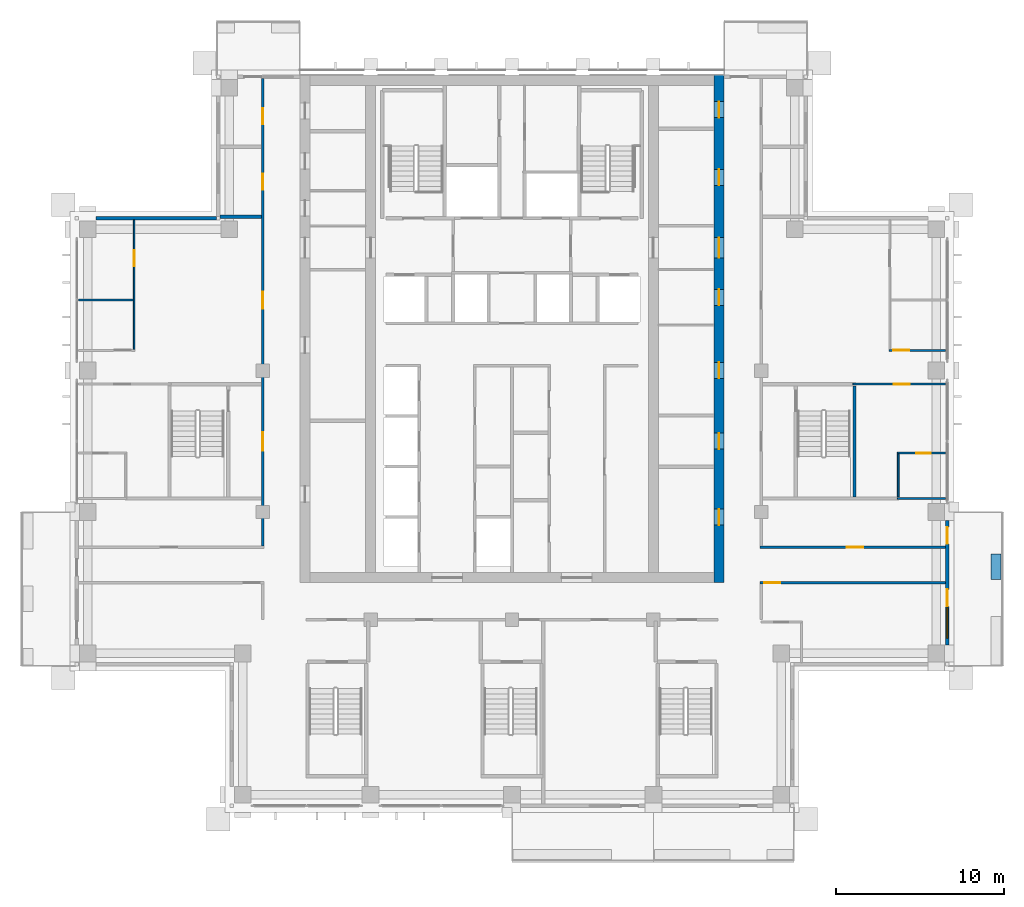
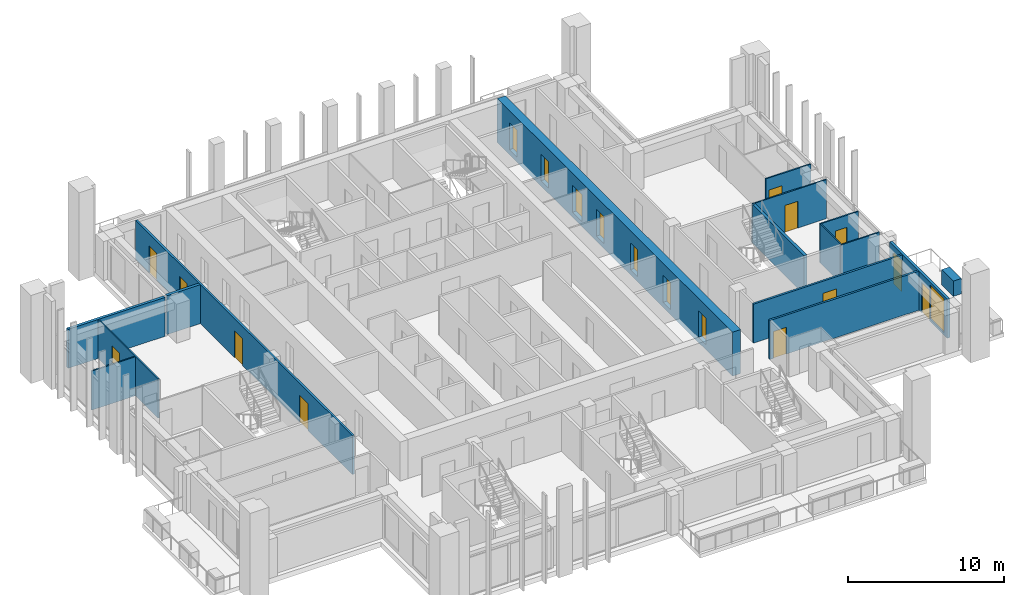
# One storey, part 11 of 18: 19 doors, 16 walls, 1 window, 20 openings.
"""IFC4 building model written with IfcOpenShell, lengths in metres."""

from ifc_helpers import new_model, si_unit, direction, frame, frame_2d, origin, place, context, subcontext, project, spatial, rectangle, extrude, material, layer, layer_set, type_object, element, fill, save


model = new_model("IFC4")

# Units and contexts
model_context = context("Model", 3, precision=1e-05, world=origin(), true_north=direction((0.0, 1.0)))
body_context = subcontext(model_context, "Body", "Model", "MODEL_VIEW")
ifc_project = project(units=[si_unit("LENGTHUNIT", "METRE"), si_unit("AREAUNIT", "SQUARE_METRE"), si_unit("VOLUMEUNIT", "CUBIC_METRE"), si_unit("PLANEANGLEUNIT", "RADIAN"), si_unit("MASSUNIT", "GRAM", prefix="KILO")], contexts=[model_context])

# Site, building, storey
site_placement = place(None, origin())
site = spatial("IfcSite", under=ifc_project, at=site_placement, CompositionType="ELEMENT")
building_placement = place(site_placement, origin())
building = spatial("IfcBuilding", under=site, at=building_placement, Name="Vermilion Ogive Tower", CompositionType="ELEMENT")
storey_placement = place(building_placement, frame((0.0, 0.0, 185.89990234375)))
storey = spatial("IfcBuildingStorey", under=building, at=storey_placement, Name="L48", CompositionType="ELEMENT", Elevation=185.89990234375)

# Wall, openings, doors
ifc_material_1 = material(Name="Concrete B60", Category="concrete")
ifc_layer_1 = layer(ifc_material_1, 0.60009765625)
ifc_layer_set_1 = layer_set([ifc_layer_1], Name="Core wall 600 B60")
wall_type_1 = type_object("IfcWallType", Name="Core wall 600 B60", PredefinedType="SHEAR", material=ifc_layer_set_1)
wall_1_placement = place(storey_placement, frame((12.300048828125, -8.39990234375, -0.39990234375), z_axis=(0.0, 0.0, 1.0), x_axis=(0.0, 1.0, 0.0)))
wall_1 = element("IfcWall", 1, at=wall_1_placement, inside=storey, type_object=wall_type_1, Name="L48-CORE-E", PredefinedType="SHEAR", context=body_context, shape_type="SweptSolid", body=[
    extrude(rectangle(XDim=30.14990234375, YDim=0.60009765625, at=frame_2d((15.074951171875, 0.0))), origin(), (0.0, 0.0, 1.0), 3.449951171875),
])
opening_1_placement = place(wall_1_placement, frame((3.415771484375, 0.0, 0.39990234375)))
opening_1 = element("IfcOpeningElement", 2, at=opening_1_placement, cuts=wall_1, Name="Opening DAC072", PredefinedType="OPENING", context=body_context, shape_type="SweptSolid", body=[
    extrude(rectangle(XDim=0.949951171875, YDim=2.10009765625, at=frame_2d((0.47509765625, 1.050048828125))), frame((0.0, 0.31005859375, 0.0), z_axis=(0.0, -1.0, 0.0), x_axis=(1.0, 0.0, 0.0)), (0.0, 0.0, 1.0), 0.6201171875),
])
opening_2_placement = place(wall_1_placement, frame((7.93212890625, 0.0, 0.39990234375)))
opening_2 = element("IfcOpeningElement", 3, at=opening_2_placement, cuts=wall_1, Name="Opening DAC073", PredefinedType="OPENING", context=body_context, shape_type="SweptSolid", body=[
    extrude(rectangle(XDim=0.949951171875, YDim=2.10009765625, at=frame_2d((0.47509765625, 1.050048828125))), frame((0.0, 0.31005859375, 0.0), z_axis=(0.0, -1.0, 0.0), x_axis=(1.0, 0.0, 0.0)), (0.0, 0.0, 1.0), 0.6201171875),
])
opening_3_placement = place(wall_1_placement, frame((12.1435546875, 0.0, 0.39990234375)))
opening_3 = element("IfcOpeningElement", 4, at=opening_3_placement, cuts=wall_1, Name="Opening DAC074", PredefinedType="OPENING", context=body_context, shape_type="SweptSolid", body=[
    extrude(rectangle(XDim=0.949951171875, YDim=2.10009765625, at=frame_2d((0.47509765625, 1.050048828125))), frame((0.0, 0.31005859375, 0.0), z_axis=(0.0, -1.0, 0.0), x_axis=(1.0, 0.0, 0.0)), (0.0, 0.0, 1.0), 0.6201171875),
])
opening_4_placement = place(wall_1_placement, frame((16.47705078125, 0.0, 0.39990234375)))
opening_4 = element("IfcOpeningElement", 5, at=opening_4_placement, cuts=wall_1, Name="Opening DAC075", PredefinedType="OPENING", context=body_context, shape_type="SweptSolid", body=[
    extrude(rectangle(XDim=0.949951171875, YDim=2.10009765625, at=frame_2d((0.47509765625, 1.050048828125))), frame((0.0, 0.31005859375, 0.0), z_axis=(0.0, -1.0, 0.0), x_axis=(1.0, 0.0, 0.0)), (0.0, 0.0, 1.0), 0.6201171875),
])
opening_5_placement = place(wall_1_placement, frame((23.60498046875, 0.0, 0.39990234375)))
opening_5 = element("IfcOpeningElement", 6, at=opening_5_placement, cuts=wall_1, Name="Opening DAC076", PredefinedType="OPENING", context=body_context, shape_type="SweptSolid", body=[
    extrude(rectangle(XDim=0.949951171875, YDim=2.10009765625, at=frame_2d((0.47509765625, 1.050048828125))), frame((0.0, 0.31005859375, 0.0), z_axis=(0.0, -1.0, 0.0), x_axis=(1.0, 0.0, 0.0)), (0.0, 0.0, 1.0), 0.6201171875),
])
opening_6_placement = place(wall_1_placement, frame((27.630126953125, 0.0, 0.39990234375)))
opening_6 = element("IfcOpeningElement", 7, at=opening_6_placement, cuts=wall_1, Name="Opening DAC077", PredefinedType="OPENING", context=body_context, shape_type="SweptSolid", body=[
    extrude(rectangle(XDim=0.949951171875, YDim=2.10009765625, at=frame_2d((0.47509765625, 1.050048828125))), frame((0.0, 0.31005859375, 0.0), z_axis=(0.0, -1.0, 0.0), x_axis=(1.0, 0.0, 0.0)), (0.0, 0.0, 1.0), 0.6201171875),
])
opening_7_placement = place(wall_1_placement, frame((19.300048828125, 0.0, 0.39990234375)))
opening_7 = element("IfcOpeningElement", 8, at=opening_7_placement, cuts=wall_1, Name="Opening DAL019", PredefinedType="OPENING", context=body_context, shape_type="SweptSolid", body=[
    extrude(rectangle(XDim=1.199951171875, YDim=2.10009765625, at=frame_2d((0.60009765625, 1.050048828125))), frame((0.0, 0.31005859375, 0.0), z_axis=(0.0, -1.0, 0.0), x_axis=(1.0, 0.0, 0.0)), (0.0, 0.0, 1.0), 0.6201171875),
])
ifc_material_2 = material(Name="Timber door leaf", Category="wood")
door_type_1 = type_object("IfcDoorType", Name="Link door 1200 x 2100 FD60S", OperationType="SINGLE_SWING_LEFT", PredefinedType="DOOR", material=ifc_material_2)
door_1_placement = place(opening_7_placement, origin())
door_1 = element("IfcDoor", 9, at=door_1_placement, inside=storey, type_object=door_type_1, Name="L48-CKE-XL", OperationType="SINGLE_SWING_LEFT", OverallHeight=2.10009765625, OverallWidth=1.199951171875, PredefinedType="DOOR", context=body_context, shape_type="SweptSolid", body=[
    extrude(rectangle(XDim=1.199951171875, YDim=2.10009765625, at=frame_2d((0.60009765625, 1.050048828125))), frame((0.0, 0.02490234375, 0.0), z_axis=(0.0, -1.0, 0.0), x_axis=(1.0, 0.0, 0.0)), (0.0, 0.0, 1.0), 0.050048828125),
])
fill(opening_7, door_1)
ifc_material_3 = material(Name="Timber door leaf", Category="wood")
door_type_2 = type_object("IfcDoorType", Name="Service door 950 x 2100 FD60", OperationType="SINGLE_SWING_LEFT", PredefinedType="DOOR", material=ifc_material_3)
door_2_placement = place(opening_1_placement, origin())
door_2 = element("IfcDoor", 10, at=door_2_placement, inside=storey, type_object=door_type_2, Name="L48-CKE-XR0", OperationType="SINGLE_SWING_LEFT", OverallHeight=2.10009765625, OverallWidth=0.949951171875, PredefinedType="DOOR", context=body_context, shape_type="SweptSolid", body=[
    extrude(rectangle(XDim=0.949951171875, YDim=2.10009765625, at=frame_2d((0.47509765625, 1.050048828125))), frame((0.0, 0.02490234375, 0.0), z_axis=(0.0, -1.0, 0.0), x_axis=(1.0, 0.0, 0.0)), (0.0, 0.0, 1.0), 0.050048828125),
])
fill(opening_1, door_2)
door_3_placement = place(opening_2_placement, origin())
door_3 = element("IfcDoor", 11, at=door_3_placement, inside=storey, type_object=door_type_2, Name="L48-CKE-XR1", OperationType="SINGLE_SWING_LEFT", OverallHeight=2.10009765625, OverallWidth=0.949951171875, PredefinedType="DOOR", context=body_context, shape_type="SweptSolid", body=[
    extrude(rectangle(XDim=0.949951171875, YDim=2.10009765625, at=frame_2d((0.47509765625, 1.050048828125))), frame((0.0, 0.02490234375, 0.0), z_axis=(0.0, -1.0, 0.0), x_axis=(1.0, 0.0, 0.0)), (0.0, 0.0, 1.0), 0.050048828125),
])
fill(opening_2, door_3)
door_4_placement = place(opening_3_placement, origin())
door_4 = element("IfcDoor", 12, at=door_4_placement, inside=storey, type_object=door_type_2, Name="L48-CKE-XR2", OperationType="SINGLE_SWING_LEFT", OverallHeight=2.10009765625, OverallWidth=0.949951171875, PredefinedType="DOOR", context=body_context, shape_type="SweptSolid", body=[
    extrude(rectangle(XDim=0.949951171875, YDim=2.10009765625, at=frame_2d((0.47509765625, 1.050048828125))), frame((0.0, 0.02490234375, 0.0), z_axis=(0.0, -1.0, 0.0), x_axis=(1.0, 0.0, 0.0)), (0.0, 0.0, 1.0), 0.050048828125),
])
fill(opening_3, door_4)
door_5_placement = place(opening_4_placement, origin())
door_5 = element("IfcDoor", 13, at=door_5_placement, inside=storey, type_object=door_type_2, Name="L48-CKE-XR3", OperationType="SINGLE_SWING_LEFT", OverallHeight=2.10009765625, OverallWidth=0.949951171875, PredefinedType="DOOR", context=body_context, shape_type="SweptSolid", body=[
    extrude(rectangle(XDim=0.949951171875, YDim=2.10009765625, at=frame_2d((0.47509765625, 1.050048828125))), frame((0.0, 0.02490234375, 0.0), z_axis=(0.0, -1.0, 0.0), x_axis=(1.0, 0.0, 0.0)), (0.0, 0.0, 1.0), 0.050048828125),
])
fill(opening_4, door_5)
door_6_placement = place(opening_5_placement, origin())
door_6 = element("IfcDoor", 14, at=door_6_placement, inside=storey, type_object=door_type_2, Name="L48-CKE-XR4", OperationType="SINGLE_SWING_LEFT", OverallHeight=2.10009765625, OverallWidth=0.949951171875, PredefinedType="DOOR", context=body_context, shape_type="SweptSolid", body=[
    extrude(rectangle(XDim=0.949951171875, YDim=2.10009765625, at=frame_2d((0.47509765625, 1.050048828125))), frame((0.0, 0.02490234375, 0.0), z_axis=(0.0, -1.0, 0.0), x_axis=(1.0, 0.0, 0.0)), (0.0, 0.0, 1.0), 0.050048828125),
])
fill(opening_5, door_6)
door_7_placement = place(opening_6_placement, origin())
door_7 = element("IfcDoor", 15, at=door_7_placement, inside=storey, type_object=door_type_2, Name="L48-CKE-XR5", OperationType="SINGLE_SWING_LEFT", OverallHeight=2.10009765625, OverallWidth=0.949951171875, PredefinedType="DOOR", context=body_context, shape_type="SweptSolid", body=[
    extrude(rectangle(XDim=0.949951171875, YDim=2.10009765625, at=frame_2d((0.47509765625, 1.050048828125))), frame((0.0, 0.02490234375, 0.0), z_axis=(0.0, -1.0, 0.0), x_axis=(1.0, 0.0, 0.0)), (0.0, 0.0, 1.0), 0.050048828125),
])
fill(opening_6, door_7)

# Wall
ifc_material_4 = material(Name="Gypsum board partition on steel studs", Category="steel")
ifc_layer_2 = layer(ifc_material_4, 0.10009765625)
ifc_layer_set_2 = layer_set([ifc_layer_2], Name="Partition 100 bath")
wall_type_2 = type_object("IfcWallType", Name="Partition 100 bath", PredefinedType="PARTITIONING", material=ifc_layer_set_2)
wall_2_placement = place(storey_placement, frame((22.89990234375, -3.39990234375, 0.0), z_axis=(0.0, 0.0, 1.0), x_axis=(1.0, 0.0, 0.0)))
element("IfcWall", 16, at=wall_2_placement, inside=storey, type_object=wall_type_2, Name="L48-W-W014", PredefinedType="PARTITIONING", context=body_context, shape_type="SweptSolid", body=[
    extrude(rectangle(XDim=2.85009765625, YDim=0.10009765625, at=frame_2d((1.425048828125, 0.0))), origin(), (0.0, 0.0, 1.0), 3.050048828125),
])

# Wall, opening, door
wall_3_placement = place(storey_placement, frame((22.89990234375, -0.699951171875, 0.0), z_axis=(0.0, 0.0, 1.0), x_axis=(1.0, 0.0, 0.0)))
wall_3 = element("IfcWall", 17, at=wall_3_placement, inside=storey, type_object=wall_type_2, Name="L48-W-W016", PredefinedType="PARTITIONING", context=body_context, shape_type="SweptSolid", body=[
    extrude(rectangle(XDim=2.85009765625, YDim=0.10009765625, at=frame_2d((1.425048828125, 0.0))), origin(), (0.0, 0.0, 1.0), 3.050048828125),
])
opening_8_placement = place(wall_3_placement, frame((1.125, 0.0, 0.0)))
opening_8 = element("IfcOpeningElement", 18, at=opening_8_placement, cuts=wall_3, Name="Opening D4G2017", PredefinedType="OPENING", context=body_context, shape_type="SweptSolid", body=[
    extrude(rectangle(XDim=0.85009765625, YDim=2.10009765625, at=frame_2d((0.425048828125, 1.050048828125))), frame((0.0, 0.06005859375, 0.0), z_axis=(0.0, -1.0, 0.0), x_axis=(1.0, 0.0, 0.0)), (0.0, 0.0, 1.0), 0.1201171875),
])
ifc_material_5 = material(Name="Timber door leaf", Category="wood")
door_type_3 = type_object("IfcDoorType", Name="Bath door 850 x 2100 FD30", OperationType="SINGLE_SWING_LEFT", PredefinedType="DOOR", material=ifc_material_5)
door_8_placement = place(opening_8_placement, origin())
door_8 = element("IfcDoor", 19, at=door_8_placement, inside=storey, type_object=door_type_3, Name="L48-D-D017", OperationType="SINGLE_SWING_RIGHT", OverallHeight=2.10009765625, OverallWidth=0.85009765625, PredefinedType="DOOR", context=body_context, shape_type="SweptSolid", body=[
    extrude(rectangle(XDim=0.85009765625, YDim=2.10009765625, at=frame_2d((0.425048828125, 1.050048828125))), frame((0.0, 0.02490234375, 0.0), z_axis=(0.0, -1.0, 0.0), x_axis=(1.0, 0.0, 0.0)), (0.0, 0.0, 1.0), 0.050048828125),
])
fill(opening_8, door_8)

# Wall
wall_4_placement = place(storey_placement, frame((22.949951171875, -3.300048828125, 0.0), z_axis=(0.0, 0.0, 1.0), x_axis=(0.0, 1.0, 0.0)))
element("IfcWall", 20, at=wall_4_placement, inside=storey, type_object=wall_type_2, Name="L48-W-W047", PredefinedType="PARTITIONING", context=body_context, shape_type="SweptSolid", body=[
    extrude(rectangle(XDim=2.550048828125, YDim=0.10009765625, at=frame_2d((1.27490234375, 0.0))), origin(), (0.0, 0.0, 1.0), 3.050048828125),
])

# Wall, opening, door
ifc_material_6 = material(Name="Gypsum board partition on steel studs", Category="steel")
ifc_layer_3 = layer(ifc_material_6, 0.10009765625)
ifc_layer_set_3 = layer_set([ifc_layer_3], Name="Partition 100 inner")
wall_type_3 = type_object("IfcWallType", Name="Partition 100 inner", PredefinedType="PARTITIONING", material=ifc_layer_set_3)
wall_5_placement = place(storey_placement, frame((20.25, 3.39990234375, 0.0), z_axis=(0.0, 0.0, 1.0), x_axis=(1.0, 0.0, 0.0)))
wall_5 = element("IfcWall", 21, at=wall_5_placement, inside=storey, type_object=wall_type_3, Name="L48-W-W020", PredefinedType="PARTITIONING", context=body_context, shape_type="SweptSolid", body=[
    extrude(rectangle(XDim=5.5, YDim=0.10009765625, at=frame_2d((2.75, 0.0))), origin(), (0.0, 0.0, 1.0), 3.050048828125),
])
opening_9_placement = place(wall_5_placement, frame((2.425048828125, 0.0, 0.0)))
opening_9 = element("IfcOpeningElement", 22, at=opening_9_placement, cuts=wall_5, Name="Opening D4G2016", PredefinedType="OPENING", context=body_context, shape_type="SweptSolid", body=[
    extrude(rectangle(XDim=0.949951171875, YDim=2.10009765625, at=frame_2d((0.47509765625, 1.050048828125))), frame((0.0, 0.06005859375, 0.0), z_axis=(0.0, -1.0, 0.0), x_axis=(1.0, 0.0, 0.0)), (0.0, 0.0, 1.0), 0.1201171875),
])
ifc_material_7 = material(Name="Timber door leaf", Category="wood")
door_type_4 = type_object("IfcDoorType", Name="Inner door 950 x 2100 FD30", OperationType="SINGLE_SWING_LEFT", PredefinedType="DOOR", material=ifc_material_7)
door_9_placement = place(opening_9_placement, origin())
door_9 = element("IfcDoor", 23, at=door_9_placement, inside=storey, type_object=door_type_4, Name="L48-D-D016", OperationType="SINGLE_SWING_LEFT", OverallHeight=2.10009765625, OverallWidth=0.949951171875, PredefinedType="DOOR", context=body_context, shape_type="SweptSolid", body=[
    extrude(rectangle(XDim=0.949951171875, YDim=2.10009765625, at=frame_2d((0.47509765625, 1.050048828125))), frame((0.0, 0.02490234375, 0.0), z_axis=(0.0, -1.0, 0.0), x_axis=(1.0, 0.0, 0.0)), (0.0, 0.0, 1.0), 0.050048828125),
])
fill(opening_9, door_9)

wall_6_placement = place(storey_placement, frame((22.39990234375, 5.39990234375, 0.0), z_axis=(0.0, 0.0, 1.0), x_axis=(1.0, 0.0, 0.0)))
wall_6 = element("IfcWall", 24, at=wall_6_placement, inside=storey, type_object=wall_type_3, Name="L48-W-W022", PredefinedType="PARTITIONING", context=body_context, shape_type="SweptSolid", body=[
    extrude(rectangle(XDim=3.35009765625, YDim=0.10009765625, at=frame_2d((1.675048828125, 0.0))), origin(), (0.0, 0.0, 1.0), 3.050048828125),
])
opening_10_placement = place(wall_6_placement, frame((0.25, 0.0, 0.0)))
opening_10 = element("IfcOpeningElement", 25, at=opening_10_placement, cuts=wall_6, Name="Opening D4G2013", PredefinedType="OPENING", context=body_context, shape_type="SweptSolid", body=[
    extrude(rectangle(XDim=0.949951171875, YDim=2.10009765625, at=frame_2d((0.47509765625, 1.050048828125))), frame((0.0, 0.06005859375, 0.0), z_axis=(0.0, -1.0, 0.0), x_axis=(1.0, 0.0, 0.0)), (0.0, 0.0, 1.0), 0.1201171875),
])
door_10_placement = place(opening_10_placement, origin())
door_10 = element("IfcDoor", 26, at=door_10_placement, inside=storey, type_object=door_type_4, Name="L48-D-D013", OperationType="SINGLE_SWING_LEFT", OverallHeight=2.10009765625, OverallWidth=0.949951171875, PredefinedType="DOOR", context=body_context, shape_type="SweptSolid", body=[
    extrude(rectangle(XDim=0.949951171875, YDim=2.10009765625, at=frame_2d((0.47509765625, 1.050048828125))), frame((0.0, 0.02490234375, 0.0), z_axis=(0.0, -1.0, 0.0), x_axis=(1.0, 0.0, 0.0)), (0.0, 0.0, 1.0), 0.050048828125),
])
fill(opening_10, door_10)

# Wall
wall_7_placement = place(storey_placement, frame((-25.75, 8.39990234375, 0.0), z_axis=(0.0, 0.0, 1.0), x_axis=(1.0, 0.0, 0.0)))
element("IfcWall", 27, at=wall_7_placement, inside=storey, type_object=wall_type_3, Name="L48-W-W023", PredefinedType="PARTITIONING", context=body_context, shape_type="SweptSolid", body=[
    extrude(rectangle(XDim=3.25, YDim=0.10009765625, at=frame_2d((1.625, 0.0))), origin(), (0.0, 0.0, 1.0), 3.050048828125),
])

# Wall, opening, door
wall_8_placement = place(storey_placement, frame((-22.449951171875, 5.449951171875, 0.0), z_axis=(0.0, 0.0, 1.0), x_axis=(0.0, 1.0, 0.0)))
wall_8 = element("IfcWall", 28, at=wall_8_placement, inside=storey, type_object=wall_type_3, Name="L48-W-W030", PredefinedType="PARTITIONING", context=body_context, shape_type="SweptSolid", body=[
    extrude(rectangle(XDim=7.699951171875, YDim=0.10009765625, at=frame_2d((3.85009765625, 0.0))), origin(), (0.0, 0.0, 1.0), 3.050048828125),
])
opening_11_placement = place(wall_8_placement, frame((4.949951171875, 0.0, 0.0)))
opening_11 = element("IfcOpeningElement", 29, at=opening_11_placement, cuts=wall_8, Name="Opening D4G2003", PredefinedType="OPENING", context=body_context, shape_type="SweptSolid", body=[
    extrude(rectangle(XDim=0.949951171875, YDim=2.10009765625, at=frame_2d((0.47509765625, 1.050048828125))), frame((0.0, 0.06005859375, 0.0), z_axis=(0.0, -1.0, 0.0), x_axis=(1.0, 0.0, 0.0)), (0.0, 0.0, 1.0), 0.1201171875),
])
door_11_placement = place(opening_11_placement, origin())
door_11 = element("IfcDoor", 30, at=door_11_placement, inside=storey, type_object=door_type_4, Name="L48-D-D003", OperationType="SINGLE_SWING_RIGHT", OverallHeight=2.10009765625, OverallWidth=0.949951171875, PredefinedType="DOOR", context=body_context, shape_type="SweptSolid", body=[
    extrude(rectangle(XDim=0.949951171875, YDim=2.10009765625, at=frame_2d((0.47509765625, 1.050048828125))), frame((0.0, 0.02490234375, 0.0), z_axis=(0.0, -1.0, 0.0), x_axis=(1.0, 0.0, 0.0)), (0.0, 0.0, 1.0), 0.050048828125),
])
fill(opening_11, door_11)

ifc_material_8 = material(Name="Gypsum board partition on steel studs", Category="steel")
ifc_layer_4 = layer(ifc_material_8, 0.14990234375)
ifc_layer_set_4 = layer_set([ifc_layer_4], Name="Partition 150 corridor")
wall_type_4 = type_object("IfcWallType", Name="Partition 150 corridor", PredefinedType="PARTITIONING", material=ifc_layer_set_4)
wall_9_placement = place(storey_placement, frame((14.72509765625, -8.39990234375, 0.0), z_axis=(0.0, 0.0, 1.0), x_axis=(1.0, 0.0, 0.0)))
wall_9 = element("IfcWall", 31, at=wall_9_placement, inside=storey, type_object=wall_type_4, Name="L48-W-W008", PredefinedType="PARTITIONING", context=body_context, shape_type="SweptSolid", body=[
    extrude(rectangle(XDim=11.02490234375, YDim=0.14990234375, at=frame_2d((5.512451171875, 0.0))), origin(), (0.0, 0.0, 1.0), 3.050048828125),
])
opening_12_placement = place(wall_9_placement, frame((0.27490234375, 0.0, 0.0)))
opening_12 = element("IfcOpeningElement", 32, at=opening_12_placement, cuts=wall_9, Name="Opening D4G2011", PredefinedType="OPENING", context=body_context, shape_type="SweptSolid", body=[
    extrude(rectangle(XDim=0.949951171875, YDim=2.10009765625, at=frame_2d((0.47509765625, 1.050048828125))), frame((0.0, 0.0849609375, 0.0), z_axis=(0.0, -1.0, 0.0), x_axis=(1.0, 0.0, 0.0)), (0.0, 0.0, 1.0), 0.169921875),
])
ifc_material_9 = material(Name="Timber door leaf", Category="wood")
door_type_5 = type_object("IfcDoorType", Name="Unit door 950 x 2100 FD30S", OperationType="SINGLE_SWING_LEFT", PredefinedType="DOOR", material=ifc_material_9)
door_12_placement = place(opening_12_placement, origin())
door_12 = element("IfcDoor", 33, at=door_12_placement, inside=storey, type_object=door_type_5, Name="L48-D-D011", OperationType="SINGLE_SWING_RIGHT", OverallHeight=2.10009765625, OverallWidth=0.949951171875, PredefinedType="DOOR", context=body_context, shape_type="SweptSolid", body=[
    extrude(rectangle(XDim=0.949951171875, YDim=2.10009765625, at=frame_2d((0.47509765625, 1.050048828125))), frame((0.0, 0.02490234375, 0.0), z_axis=(0.0, -1.0, 0.0), x_axis=(1.0, 0.0, 0.0)), (0.0, 0.0, 1.0), 0.050048828125),
])
fill(opening_12, door_12)

wall_10_placement = place(storey_placement, frame((14.72509765625, -6.300048828125, 0.0), z_axis=(0.0, 0.0, 1.0), x_axis=(1.0, 0.0, 0.0)))
wall_10 = element("IfcWall", 34, at=wall_10_placement, inside=storey, type_object=wall_type_4, Name="L48-W-W010", PredefinedType="PARTITIONING", context=body_context, shape_type="SweptSolid", body=[
    extrude(rectangle(XDim=11.02490234375, YDim=0.14990234375, at=frame_2d((5.512451171875, 0.0))), origin(), (0.0, 0.0, 1.0), 3.050048828125),
])
opening_13_placement = place(wall_10_placement, frame((5.14990234375, 0.0, 0.0)))
opening_13 = element("IfcOpeningElement", 35, at=opening_13_placement, cuts=wall_10, Name="Opening D4G2031", PredefinedType="OPENING", context=body_context, shape_type="SweptSolid", body=[
    extrude(rectangle(XDim=1.0, YDim=2.10009765625, at=frame_2d((0.5, 1.050048828125))), frame((0.0, 0.0849609375, 0.0), z_axis=(0.0, -1.0, 0.0), x_axis=(1.0, 0.0, 0.0)), (0.0, 0.0, 1.0), 0.169921875),
])
ifc_material_10 = material(Name="Timber door leaf", Category="wood")
door_type_6 = type_object("IfcDoorType", Name="Unit door 1000 x 2100 FD30S", OperationType="SINGLE_SWING_LEFT", PredefinedType="DOOR", material=ifc_material_10)
door_13_placement = place(opening_13_placement, origin())
door_13 = element("IfcDoor", 36, at=door_13_placement, inside=storey, type_object=door_type_6, Name="L48-D-D031", OperationType="SINGLE_SWING_RIGHT", OverallHeight=2.10009765625, OverallWidth=1.0, PredefinedType="DOOR", context=body_context, shape_type="SweptSolid", body=[
    extrude(rectangle(XDim=1.0, YDim=2.10009765625, at=frame_2d((0.5, 1.050048828125))), frame((0.0, 0.02490234375, 0.0), z_axis=(0.0, -1.0, 0.0), x_axis=(1.0, 0.0, 0.0)), (0.0, 0.0, 1.0), 0.050048828125),
])
fill(opening_13, door_13)

# Wall, openings, doors
wall_11_placement = place(storey_placement, frame((-14.800048828125, -6.22509765625, 0.0), z_axis=(0.0, 0.0, 1.0), x_axis=(0.0, 1.0, 0.0)))
wall_11 = element("IfcWall", 37, at=wall_11_placement, inside=storey, type_object=wall_type_4, Name="L48-W-W034", PredefinedType="PARTITIONING", context=body_context, shape_type="SweptSolid", body=[
    extrude(rectangle(XDim=27.775146484375, YDim=0.14990234375, at=frame_2d((13.8876953125, 0.0))), origin(), (0.0, 0.0, 1.0), 3.050048828125),
])
opening_14_placement = place(wall_11_placement, frame((14.10009765625, 0.0, 0.0)))
opening_14 = element("IfcOpeningElement", 38, at=opening_14_placement, cuts=wall_11, Name="Opening D4G2004", PredefinedType="OPENING", context=body_context, shape_type="SweptSolid", body=[
    extrude(rectangle(XDim=1.0, YDim=2.10009765625, at=frame_2d((0.5, 1.050048828125))), frame((0.0, 0.0849609375, 0.0), z_axis=(0.0, -1.0, 0.0), x_axis=(1.0, 0.0, 0.0)), (0.0, 0.0, 1.0), 0.169921875),
])
opening_15_placement = place(wall_11_placement, frame((21.175048828125, 0.0, 0.0)))
opening_15 = element("IfcOpeningElement", 39, at=opening_15_placement, cuts=wall_11, Name="Opening D4G2007", PredefinedType="OPENING", context=body_context, shape_type="SweptSolid", body=[
    extrude(rectangle(XDim=0.949951171875, YDim=2.10009765625, at=frame_2d((0.47509765625, 1.050048828125))), frame((0.0, 0.0849609375, 0.0), z_axis=(0.0, -1.0, 0.0), x_axis=(1.0, 0.0, 0.0)), (0.0, 0.0, 1.0), 0.169921875),
])
opening_16_placement = place(wall_11_placement, frame((25.0751953125, 0.0, 0.0)))
opening_16 = element("IfcOpeningElement", 40, at=opening_16_placement, cuts=wall_11, Name="Opening D4G2008", PredefinedType="OPENING", context=body_context, shape_type="SweptSolid", body=[
    extrude(rectangle(XDim=0.949951171875, YDim=2.10009765625, at=frame_2d((0.47509765625, 1.050048828125))), frame((0.0, 0.0849609375, 0.0), z_axis=(0.0, -1.0, 0.0), x_axis=(1.0, 0.0, 0.0)), (0.0, 0.0, 1.0), 0.169921875),
])
opening_17_placement = place(wall_11_placement, frame((5.675048828125, 0.0, 0.0)))
opening_17 = element("IfcOpeningElement", 41, at=opening_17_placement, cuts=wall_11, Name="Opening D4G2028", PredefinedType="OPENING", context=body_context, shape_type="SweptSolid", body=[
    extrude(rectangle(XDim=1.10009765625, YDim=2.10009765625, at=frame_2d((0.550048828125, 1.050048828125))), frame((0.0, 0.0849609375, 0.0), z_axis=(0.0, -1.0, 0.0), x_axis=(1.0, 0.0, 0.0)), (0.0, 0.0, 1.0), 0.169921875),
])
ifc_material_11 = material(Name="Timber door leaf", Category="wood")
door_type_7 = type_object("IfcDoorType", Name="Stair door 1100 x 2100 FD60S", OperationType="SINGLE_SWING_LEFT", PredefinedType="DOOR", material=ifc_material_11)
door_14_placement = place(opening_17_placement, origin())
door_14 = element("IfcDoor", 42, at=door_14_placement, inside=storey, type_object=door_type_7, Name="L48-D-D028", OperationType="SINGLE_SWING_RIGHT", OverallHeight=2.10009765625, OverallWidth=1.10009765625, PredefinedType="DOOR", context=body_context, shape_type="SweptSolid", body=[
    extrude(rectangle(XDim=1.10009765625, YDim=2.10009765625, at=frame_2d((0.550048828125, 1.050048828125))), frame((0.0, 0.02490234375, 0.0), z_axis=(0.0, -1.0, 0.0), x_axis=(1.0, 0.0, 0.0)), (0.0, 0.0, 1.0), 0.050048828125),
])
fill(opening_17, door_14)
door_15_placement = place(opening_14_placement, origin())
door_15 = element("IfcDoor", 43, at=door_15_placement, inside=storey, type_object=door_type_6, Name="L48-D-D004", OperationType="SINGLE_SWING_LEFT", OverallHeight=2.10009765625, OverallWidth=1.0, PredefinedType="DOOR", context=body_context, shape_type="SweptSolid", body=[
    extrude(rectangle(XDim=1.0, YDim=2.10009765625, at=frame_2d((0.5, 1.050048828125))), frame((0.0, 0.02490234375, 0.0), z_axis=(0.0, -1.0, 0.0), x_axis=(1.0, 0.0, 0.0)), (0.0, 0.0, 1.0), 0.050048828125),
])
fill(opening_14, door_15)
door_16_placement = place(opening_15_placement, origin())
door_16 = element("IfcDoor", 44, at=door_16_placement, inside=storey, type_object=door_type_5, Name="L48-D-D007", OperationType="SINGLE_SWING_RIGHT", OverallHeight=2.10009765625, OverallWidth=0.949951171875, PredefinedType="DOOR", context=body_context, shape_type="SweptSolid", body=[
    extrude(rectangle(XDim=0.949951171875, YDim=2.10009765625, at=frame_2d((0.47509765625, 1.050048828125))), frame((0.0, 0.02490234375, 0.0), z_axis=(0.0, -1.0, 0.0), x_axis=(1.0, 0.0, 0.0)), (0.0, 0.0, 1.0), 0.050048828125),
])
fill(opening_15, door_16)
door_17_placement = place(opening_16_placement, origin())
door_17 = element("IfcDoor", 45, at=door_17_placement, inside=storey, type_object=door_type_5, Name="L48-D-D008", OperationType="SINGLE_SWING_LEFT", OverallHeight=2.10009765625, OverallWidth=0.949951171875, PredefinedType="DOOR", context=body_context, shape_type="SweptSolid", body=[
    extrude(rectangle(XDim=0.949951171875, YDim=2.10009765625, at=frame_2d((0.47509765625, 1.050048828125))), frame((0.0, 0.02490234375, 0.0), z_axis=(0.0, -1.0, 0.0), x_axis=(1.0, 0.0, 0.0)), (0.0, 0.0, 1.0), 0.050048828125),
])
fill(opening_16, door_17)

# Walls
ifc_material_12 = material(Name="Gypsum board partition on steel studs", Category="steel")
ifc_layer_5 = layer(ifc_material_12, 0.199951171875)
ifc_layer_set_5 = layer_set([ifc_layer_5], Name="Partition 200 party")
wall_type_5 = type_object("IfcWallType", Name="Partition 200 party", PredefinedType="PARTITIONING", material=ifc_layer_set_5)
wall_12_placement = place(storey_placement, frame((-17.35009765625, 13.35009765625, 0.0), z_axis=(0.0, 0.0, 1.0), x_axis=(1.0, 0.0, 0.0)))
element("IfcWall", 46, at=wall_12_placement, inside=storey, type_object=wall_type_5, Name="L48-W-W025", PredefinedType="PARTITIONING", context=body_context, shape_type="SweptSolid", body=[
    extrude(rectangle(XDim=2.47509765625, YDim=0.199951171875, at=frame_2d((1.237548828125, 0.0))), origin(), (0.0, 0.0, 1.0), 3.050048828125),
])
ifc_material_13 = material(Name="Concrete B60", Category="concrete")
ifc_layer_6 = layer(ifc_material_13, 0.199951171875)
ifc_layer_set_6 = layer_set([ifc_layer_6], Name="Stair shaft wall 200 Concrete B60")
wall_type_6 = type_object("IfcWallType", Name="Stair shaft wall 200 Concrete B60", PredefinedType="SOLIDWALL", material=ifc_layer_set_6)
wall_13_placement = place(storey_placement, frame((20.35009765625, -3.300048828125, 0.0), z_axis=(0.0, 0.0, 1.0), x_axis=(0.0, 1.0, 0.0)))
element("IfcWall", 47, at=wall_13_placement, inside=storey, type_object=wall_type_6, Name="L48-W-W045", PredefinedType="SOLIDWALL", context=body_context, shape_type="SweptSolid", body=[
    extrude(rectangle(XDim=6.60009765625, YDim=0.199951171875, at=frame_2d((3.300048828125, 0.0))), origin(), (0.0, 0.0, 1.0), 3.050048828125),
])
ifc_material_14 = material(Name="Concrete B40", Category="concrete")
ifc_layer_7 = layer(ifc_material_14, 0.60009765625)
ifc_layer_set_7 = layer_set([ifc_layer_7], Name="Structural planter")
wall_type_7 = type_object("IfcWallType", Name="Structural planter", PredefinedType="USERDEFINED", material=ifc_layer_set_7)
wall_14_placement = place(storey_placement, frame((28.75, -8.199951171875, -0.039794921875), z_axis=(0.0, 0.0, 1.0), x_axis=(0.0, 1.0, 0.0)))
element("IfcWall", 48, at=wall_14_placement, inside=storey, type_object=wall_type_7, Name="Planter E01A2", ObjectType="PLANTER", PredefinedType="USERDEFINED", context=body_context, shape_type="SweptSolid", body=[
    extrude(rectangle(XDim=1.5, YDim=0.60009765625, at=frame_2d((0.75, 0.0))), origin(), (0.0, 0.0, 1.0), 1.199951171875),
])

# Wall, openings, doors, window
ifc_material_15 = material(Name="Aluminium window wall framing", Category="aluminium")
ifc_layer_8 = layer(ifc_material_15, 0.199951171875)
ifc_layer_set_8 = layer_set([ifc_layer_8], Name="Window wall")
wall_type_8 = type_object("IfcWallType", Name="Window wall", PredefinedType="STANDARD", material=ifc_layer_set_8)
wall_15_placement = place(storey_placement, frame((25.85009765625, -12.10009765625, 0.0), z_axis=(0.0, 0.0, 1.0), x_axis=(0.0, 1.0, 0.0)))
wall_15 = element("IfcWall", 49, at=wall_15_placement, inside=storey, type_object=wall_type_8, Name="Window wall E1", PredefinedType="STANDARD", context=body_context, shape_type="SweptSolid", body=[
    extrude(rectangle(XDim=7.400146484375, YDim=0.199951171875, at=frame_2d((3.7001953125, 0.0))), origin(), (0.0, 0.0, 1.0), 3.050048828125),
])
opening_18_placement = place(wall_15_placement, frame((0.39990234375, 0.0, 0.199951171875)))
opening_18 = element("IfcOpeningElement", 50, at=opening_18_placement, cuts=wall_15, Name="Opening W1-E97", PredefinedType="OPENING", context=body_context, shape_type="SweptSolid", body=[
    extrude(rectangle(XDim=1.800048828125, YDim=2.64990234375, at=frame_2d((0.89990234375, 1.324951171875))), frame((0.0, 0.10986328125, 0.0), z_axis=(0.0, -1.0, 0.0), x_axis=(1.0, 0.0, 0.0)), (0.0, 0.0, 1.0), 0.219970703125),
])
opening_19_placement = place(wall_15_placement, frame((2.300048828125, 0.0, 0.0)))
opening_19 = element("IfcOpeningElement", 51, at=opening_19_placement, cuts=wall_15, Name="Opening D1-E97", PredefinedType="OPENING", context=body_context, shape_type="SweptSolid", body=[
    extrude(rectangle(XDim=1.0, YDim=2.39990234375, at=frame_2d((0.5, 1.199951171875))), frame((0.0, 0.10986328125, 0.0), z_axis=(0.0, -1.0, 0.0), x_axis=(1.0, 0.0, 0.0)), (0.0, 0.0, 1.0), 0.219970703125),
])
opening_20_placement = place(wall_15_placement, frame((6.0, 0.0, 0.0)))
opening_20 = element("IfcOpeningElement", 52, at=opening_20_placement, cuts=wall_15, Name="Opening D1-E98", PredefinedType="OPENING", context=body_context, shape_type="SweptSolid", body=[
    extrude(rectangle(XDim=1.0, YDim=2.39990234375, at=frame_2d((0.5, 1.199951171875))), frame((0.0, 0.10986328125, 0.0), z_axis=(0.0, -1.0, 0.0), x_axis=(1.0, 0.0, 0.0)), (0.0, 0.0, 1.0), 0.219970703125),
])
ifc_material_16 = material(Name="Aluminium framed glazed door", Category="aluminium")
door_type_8 = type_object("IfcDoorType", Name="Balcony door D1", OperationType="SINGLE_SWING_LEFT", PredefinedType="DOOR", material=ifc_material_16)
door_18_placement = place(opening_19_placement, origin())
door_18 = element("IfcDoor", 53, at=door_18_placement, inside=storey, type_object=door_type_8, Name="Balcony door E97", OperationType="SINGLE_SWING_LEFT", OverallHeight=2.39990234375, OverallWidth=1.0, PredefinedType="DOOR", context=body_context, shape_type="SweptSolid", body=[
    extrude(rectangle(XDim=1.0, YDim=2.39990234375, at=frame_2d((0.5, 1.199951171875))), frame((0.0, 0.02490234375, 0.0), z_axis=(0.0, -1.0, 0.0), x_axis=(1.0, 0.0, 0.0)), (0.0, 0.0, 1.0), 0.050048828125),
])
fill(opening_19, door_18)
door_19_placement = place(opening_20_placement, origin())
door_19 = element("IfcDoor", 54, at=door_19_placement, inside=storey, type_object=door_type_8, Name="Balcony door E98", OperationType="SINGLE_SWING_LEFT", OverallHeight=2.39990234375, OverallWidth=1.0, PredefinedType="DOOR", context=body_context, shape_type="SweptSolid", body=[
    extrude(rectangle(XDim=1.0, YDim=2.39990234375, at=frame_2d((0.5, 1.199951171875))), frame((0.0, 0.02490234375, 0.0), z_axis=(0.0, -1.0, 0.0), x_axis=(1.0, 0.0, 0.0)), (0.0, 0.0, 1.0), 0.050048828125),
])
fill(opening_20, door_19)
ifc_material_17 = material(Name="Aluminium framed double glazing", Category="aluminium")
window_type = type_object("IfcWindowType", Name="Guest window W1", PartitioningType="SINGLE_PANEL", PredefinedType="WINDOW", material=ifc_material_17)
window_placement = place(opening_18_placement, origin())
window = element("IfcWindow", 55, at=window_placement, inside=storey, type_object=window_type, Name="Window E97", OverallHeight=2.64990234375, OverallWidth=1.800048828125, PartitioningType="SINGLE_PANEL", PredefinedType="WINDOW", context=body_context, shape_type="SweptSolid", body=[
    extrude(rectangle(XDim=1.800048828125, YDim=2.64990234375, at=frame_2d((0.89990234375, 1.324951171875))), frame((0.0, 0.030029296875, 0.0), z_axis=(0.0, -1.0, 0.0), x_axis=(1.0, 0.0, 0.0)), (0.0, 0.0, 1.0), 0.06005859375),
])
fill(opening_18, window)

# Wall
wall_16_placement = place(storey_placement, frame((-17.550048828125, 13.25, 0.0), z_axis=(0.0, 0.0, 1.0), x_axis=(-1.0, 0.0, 0.0)))
element("IfcWall", 56, at=wall_16_placement, inside=storey, type_object=wall_type_8, Name="Window wall X61", PredefinedType="STANDARD", context=body_context, shape_type="SweptSolid", body=[
    extrude(rectangle(XDim=7.14990234375, YDim=0.199951171875, at=frame_2d((3.574951171875, 0.0))), origin(), (0.0, 0.0, 1.0), 3.050048828125),
])

save(model, "model.ifc")
